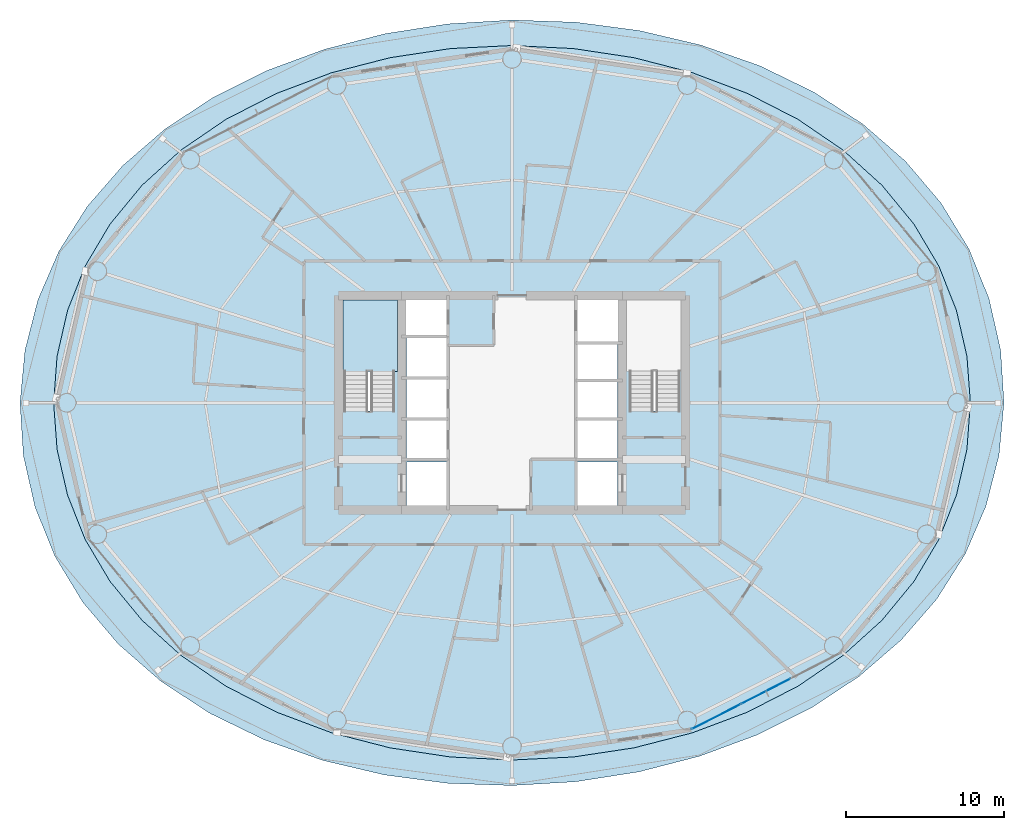
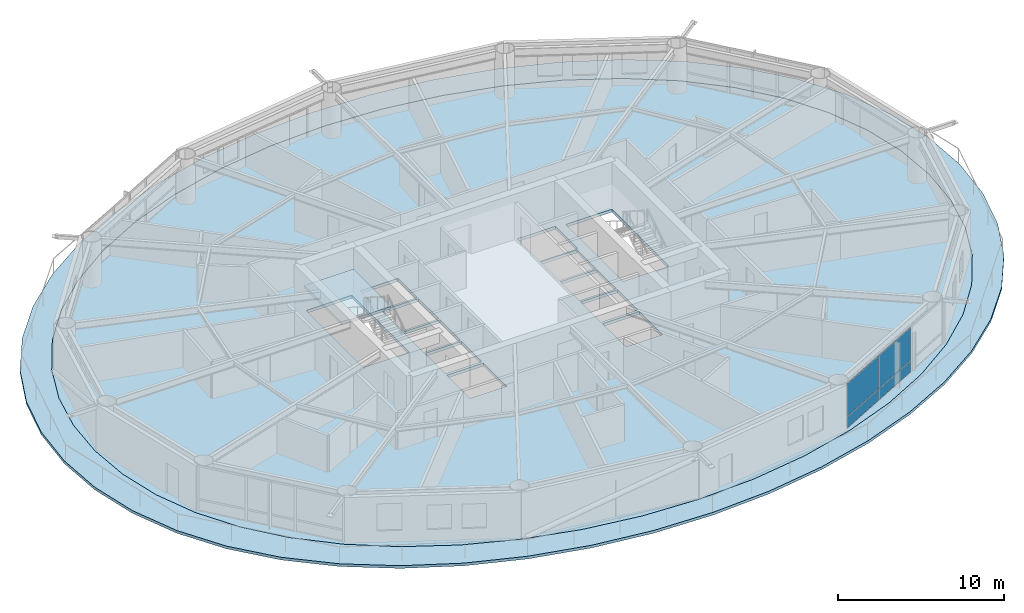
# One storey, part 15 of 24: 4 plates, 3 slabs, 2 elements without a shape of their own.
"""IFC4 building model written with IfcOpenShell, lengths in metres."""

from ifc_helpers import new_model, si_unit, direction, frame, origin, origin_2d, place, context, subcontext, project, spatial, polyline, rectangle, outline, extrude, material, layer, layer_set, type_object, element, aggregate, save


model = new_model("IFC4")

# Units and contexts
model_context = context("Model", 3, precision=1e-05, world=origin(), true_north=direction((0.0, 1.0)))
body_context = subcontext(model_context, "Body", "Model", "MODEL_VIEW")
ifc_project = project(units=[si_unit("LENGTHUNIT", "METRE"), si_unit("AREAUNIT", "SQUARE_METRE"), si_unit("VOLUMEUNIT", "CUBIC_METRE"), si_unit("PLANEANGLEUNIT", "RADIAN"), si_unit("MASSUNIT", "GRAM", prefix="KILO")], contexts=[model_context])

# Site, building, storey
site_placement = place(None, origin())
site = spatial("IfcSite", under=ifc_project, at=site_placement, CompositionType="ELEMENT")
building_placement = place(site_placement, origin())
building = spatial("IfcBuilding", under=site, at=building_placement, Name="Sarneth Arch Tower", CompositionType="ELEMENT")
storey_placement = place(building_placement, frame((0.0, 0.0, 98.39990234375)))
storey = spatial("IfcBuildingStorey", under=building, at=storey_placement, Name="L24", CompositionType="ELEMENT", Elevation=98.39990234375)

# Curtain wall, plates
ifc_material_1 = material(Name="Anodised aluminium Type AA25 and solar-control low-e laminated IGU", Category="aluminium")
ifc_layer_1 = layer(ifc_material_1, 0.159912109375)
ifc_layer_set_1 = layer_set([ifc_layer_1], Name="Anodised aluminium Type AA25 and solar-control low-e laminated IGU")
curtain_wall_type = type_object("IfcCurtainWallType", Name="CW-HOTEL-MID", PredefinedType="NOTDEFINED", material=ifc_layer_set_1)
curtain_wall_placement = place(storey_placement, origin())
curtain_wall = element("IfcCurtainWall", 1, at=curtain_wall_placement, inside=storey, type_object=curtain_wall_type, Name="L24 Unitised curtain wall facet 14", PredefinedType="NOTDEFINED")
ifc_material_2 = material(Name="Solar-control low-e laminated IGU", Category="glass")
ifc_layer_2 = layer(ifc_material_2, 0.028076171875)
ifc_layer_set_2 = layer_set([ifc_layer_2], Name="Solar-control low-e laminated IGU")
plate_type = type_object("IfcPlateType", Name="CW-PANEL", PredefinedType="CURTAIN_PANEL", material=ifc_layer_set_2)
plate_1_placement = place(storey_placement, frame((60.946044921875, 22.094482421875, 0.06005859375), z_axis=(0.0, 0.0, 1.0), x_axis=(0.889963703649, 0.456031365356, 0.0)))
plate_1 = element("IfcPlate", 2, at=plate_1_placement, type_object=plate_type, Name="Curtain wall glazed vision pane CW-L24-F14/P00-00", PredefinedType="CURTAIN_PANEL", context=body_context, shape_type="SweptSolid", body=[
    extrude(rectangle(XDim=3.464111328125, YDim=0.028076171875, at=origin_2d()), origin(), (0.0, 0.0, 1.0), 0.81005859375),
])
plate_2_placement = place(storey_placement, frame((60.946044921875, 22.094482421875, 0.93017578125), z_axis=(0.0, 0.0, 1.0), x_axis=(0.889963703649, 0.456031365356, 0.0)))
plate_2 = element("IfcPlate", 3, at=plate_2_placement, type_object=plate_type, Name="Curtain wall glazed vision pane CW-L24-F14/P00-01", PredefinedType="CURTAIN_PANEL", context=body_context, shape_type="SweptSolid", body=[
    extrude(rectangle(XDim=3.464111328125, YDim=0.028076171875, at=origin_2d()), origin(), (0.0, 0.0, 1.0), 2.389892578125),
])
plate_3_placement = place(storey_placement, frame((64.095703125, 23.70849609375, 0.06005859375), z_axis=(0.0, 0.0, 1.0), x_axis=(0.889963703649, 0.456031365356, 0.0)))
plate_3 = element("IfcPlate", 4, at=plate_3_placement, type_object=plate_type, Name="Curtain wall glazed vision pane CW-L24-F14/P01-00", PredefinedType="CURTAIN_PANEL", context=body_context, shape_type="SweptSolid", body=[
    extrude(rectangle(XDim=3.493896484375, YDim=0.028076171875, at=origin_2d()), origin(), (0.0, 0.0, 1.0), 0.81005859375),
])
plate_4_placement = place(storey_placement, frame((64.095703125, 23.70849609375, 0.93017578125), z_axis=(0.0, 0.0, 1.0), x_axis=(0.889963703649, 0.456031365356, 0.0)))
plate_4 = element("IfcPlate", 5, at=plate_4_placement, type_object=plate_type, Name="Curtain wall glazed vision pane CW-L24-F14/P01-01", PredefinedType="CURTAIN_PANEL", context=body_context, shape_type="SweptSolid", body=[
    extrude(rectangle(XDim=3.493896484375, YDim=0.028076171875, at=origin_2d()), origin(), (0.0, 0.0, 1.0), 2.389892578125),
])
aggregate(curtain_wall, [plate_1, plate_2, plate_3, plate_4])

# Slab
ifc_material_3 = material(Name="Concrete C50/60", Category="concrete")
ifc_layer_3 = layer(ifc_material_3, 0.199951171875)
ifc_layer_set_3 = layer_set([ifc_layer_3], Name="Concrete C50/60")
slab_type_1 = type_object("IfcSlabType", Name="SLAB-BALC-200", PredefinedType="FLOOR", material=ifc_layer_set_3)
slab_1_placement = place(storey_placement, frame((0.0, 0.0, -0.199951171875)))
element("IfcSlab", 6, at=slab_1_placement, inside=storey, type_object=slab_type_1, Name="L24 Helical balcony band slab", PredefinedType="FLOOR", context=body_context, shape_type="SweptSolid", body=[
    extrude(outline(polyline([(79.19384765625, 42.0), (78.982421875, 45.338623046875), (78.242431640625, 48.611083984375), (76.979248046875, 51.73876953125), (75.20703125, 54.657470703125), (72.94921875, 57.31591796875), (70.241943359375, 59.67431640625), (67.13525390625, 61.701904296875), (63.692138671875, 63.375244140625), (59.984619140625, 64.67724609375), (56.08642578125, 65.596435546875), (52.0693359375, 66.12744140625), (48.0, 66.268798828125), (43.94091796875, 66.024169921875), (39.953369140625, 65.400390625), (36.10009765625, 64.4072265625), (32.446533203125, 63.0576171875), (29.05859375, 61.367431640625), (25.99853515625, 59.3544921875), (23.32080078125, 57.039306640625), (21.06689453125, 54.4453125), (19.267822265625, 51.600830078125), (17.945556640625, 48.542724609375), (17.119384765625, 45.320556640625), (16.80615234375, 42.0), (17.017578125, 38.661376953125), (17.757568359375, 35.388916015625), (19.020751953125, 32.26123046875), (20.79296875, 29.342529296875), (23.05078125, 26.68408203125), (25.758056640625, 24.32568359375), (28.86474609375, 22.298095703125), (32.307861328125, 20.624755859375), (36.015380859375, 19.32275390625), (39.91357421875, 18.403564453125), (43.9306640625, 17.87255859375), (48.0, 17.731201171875), (52.05908203125, 17.975830078125), (56.046630859375, 18.599609375), (59.89990234375, 19.5927734375), (63.553466796875, 20.9423828125), (66.94140625, 22.632568359375), (70.00146484375, 24.6455078125), (72.67919921875, 26.960693359375), (74.93310546875, 29.5546875), (76.732177734375, 32.399169921875), (78.054443359375, 35.457275390625), (78.880615234375, 38.679443359375), (79.19384765625, 42.0)]), holes=[polyline([(77.062744140625, 42.0), (76.84228515625, 44.956298828125), (76.17724609375, 47.8623046875), (75.060546875, 50.667724609375), (73.486328125, 53.324951171875), (71.458251953125, 55.788330078125), (68.994384765625, 58.015869140625), (66.132080078125, 59.969482421875), (62.923828125, 61.615478515625), (59.435302734375, 62.92578125), (55.73779296875, 63.878173828125), (51.902587890625, 64.456298828125), (48.0, 64.64990234375), (44.097412109375, 64.456298828125), (40.26220703125, 63.878173828125), (36.564697265625, 62.92578125), (33.076171875, 61.615478515625), (29.867919921875, 59.969482421875), (27.005615234375, 58.015869140625), (24.541748046875, 55.788330078125), (22.513671875, 53.324951171875), (20.939453125, 50.667724609375), (19.82275390625, 47.8623046875), (19.15771484375, 44.956298828125), (18.937255859375, 42.0), (19.15771484375, 39.043701171875), (19.82275390625, 36.1376953125), (20.939453125, 33.332275390625), (22.513671875, 30.675048828125), (24.541748046875, 28.211669921875), (27.005615234375, 25.984130859375), (29.867919921875, 24.030517578125), (33.076171875, 22.384521484375), (36.564697265625, 21.07421875), (40.26220703125, 20.121826171875), (44.097412109375, 19.543701171875), (48.0, 19.35009765625), (51.902587890625, 19.543701171875), (55.73779296875, 20.121826171875), (59.435302734375, 21.07421875), (62.923828125, 22.384521484375), (66.132080078125, 24.030517578125), (68.994384765625, 25.984130859375), (71.458251953125, 28.211669921875), (73.486328125, 30.675048828125), (75.060546875, 33.332275390625), (76.17724609375, 36.1376953125), (76.84228515625, 39.043701171875), (77.062744140625, 42.0)])]), origin(), (0.0, 0.0, 1.0), 0.199951171875),
])

# Stair, slab
ifc_material_4 = material(Name="Concrete C50/60", Category="concrete")
stair_type = type_object("IfcStairType", Name="STAIR-CORE-RC", PredefinedType="HALF_TURN_STAIR", material=ifc_material_4)
stair_placement = place(storey_placement, origin())
stair = element("IfcStair", 7, at=stair_placement, inside=storey, type_object=stair_type, Name="L24 Core Exit Stair 1", PredefinedType="HALF_TURN_STAIR")
ifc_material_5 = material(Name="Concrete C50/60", Category="concrete")
ifc_layer_4 = layer(ifc_material_5, 0.199951171875)
ifc_layer_set_4 = layer_set([ifc_layer_4], Name="Concrete C50/60")
slab_type_2 = type_object("IfcSlabType", Name="SLAB-LANDING-200", PredefinedType="LANDING", material=ifc_layer_set_4)
slab_2_placement = place(storey_placement, frame((0.0, 0.0, 1.60009765625)))
slab_2 = element("IfcSlab", 8, at=slab_2_placement, type_object=slab_type_2, Name="ST-1 landing 1", PredefinedType="LANDING", context=body_context, shape_type="SweptSolid", body=[
    extrude(outline(polyline([(37.27490234375, 43.985107421875), (40.72509765625, 43.985107421875), (40.72509765625, 48.52490234375), (37.27490234375, 48.52490234375), (37.27490234375, 43.985107421875)])), origin(), (0.0, 0.0, 1.0), 0.199951171875),
])
aggregate(stair, [slab_2])

# Slab
ifc_material_6 = material(Name="Concrete C50/60", Category="concrete")
ifc_layer_5 = layer(ifc_material_6, 0.219970703125)
ifc_layer_set_5 = layer_set([ifc_layer_5], Name="Concrete C50/60")
slab_type_3 = type_object("IfcSlabType", Name="SLAB-TOWER-220", PredefinedType="FLOOR", material=ifc_layer_set_5)
slab_3_placement = place(storey_placement, frame((0.0, 0.0, -0.219970703125)))
element("IfcSlab", 9, at=slab_3_placement, inside=storey, type_object=slab_type_3, Name="L24 Elliptical floor slab", PredefinedType="FLOOR", context=body_context, shape_type="SweptSolid", body=[
    extrude(outline(polyline([(77.062744140625, 42.0), (76.84228515625, 44.956298828125), (76.17724609375, 47.8623046875), (75.060546875, 50.667724609375), (73.486328125, 53.324951171875), (71.458251953125, 55.788330078125), (68.994384765625, 58.015869140625), (66.132080078125, 59.969482421875), (62.923828125, 61.615478515625), (59.435302734375, 62.92578125), (55.73779296875, 63.878173828125), (51.902587890625, 64.456298828125), (48.0, 64.64990234375), (44.097412109375, 64.456298828125), (40.26220703125, 63.878173828125), (36.564697265625, 62.92578125), (33.076171875, 61.615478515625), (29.867919921875, 59.969482421875), (27.005615234375, 58.015869140625), (24.541748046875, 55.788330078125), (22.513671875, 53.324951171875), (20.939453125, 50.667724609375), (19.82275390625, 47.8623046875), (19.15771484375, 44.956298828125), (18.937255859375, 42.0), (19.15771484375, 39.043701171875), (19.82275390625, 36.1376953125), (20.939453125, 33.332275390625), (22.513671875, 30.675048828125), (24.541748046875, 28.211669921875), (27.005615234375, 25.984130859375), (29.867919921875, 24.030517578125), (33.076171875, 22.384521484375), (36.564697265625, 21.07421875), (40.26220703125, 20.121826171875), (44.097412109375, 19.543701171875), (48.0, 19.35009765625), (51.902587890625, 19.543701171875), (55.73779296875, 20.121826171875), (59.435302734375, 21.07421875), (62.923828125, 22.384521484375), (66.132080078125, 24.030517578125), (68.994384765625, 25.984130859375), (71.458251953125, 28.211669921875), (73.486328125, 30.675048828125), (75.060546875, 33.332275390625), (76.17724609375, 36.1376953125), (76.84228515625, 39.043701171875), (77.062744140625, 42.0)]), holes=[polyline([(37.35009765625, 41.489990234375), (40.550048828125, 41.489990234375), (40.550048828125, 48.39990234375), (37.35009765625, 48.39990234375), (37.35009765625, 41.489990234375)]), polyline([(55.449951171875, 41.489990234375), (58.64990234375, 41.489990234375), (58.64990234375, 48.39990234375), (55.449951171875, 48.39990234375), (55.449951171875, 41.489990234375)]), polyline([(41.199951171875, 46.25), (43.85009765625, 46.25), (43.85009765625, 48.550048828125), (41.199951171875, 48.550048828125), (41.199951171875, 46.25)]), polyline([(41.300048828125, 35.449951171875), (43.85009765625, 35.449951171875), (43.85009765625, 38.25), (41.300048828125, 38.25), (41.300048828125, 35.449951171875)]), polyline([(52.14990234375, 35.449951171875), (54.699951171875, 35.449951171875), (54.699951171875, 38.25), (52.14990234375, 38.25), (52.14990234375, 35.449951171875)]), polyline([(52.14990234375, 45.85009765625), (54.800048828125, 45.85009765625), (54.800048828125, 48.550048828125), (52.14990234375, 48.550048828125), (52.14990234375, 45.85009765625)]), polyline([(41.300048828125, 38.449951171875), (43.85009765625, 38.449951171875), (43.85009765625, 40.89990234375), (41.300048828125, 40.89990234375), (41.300048828125, 38.449951171875)]), polyline([(41.300048828125, 41.050048828125), (43.85009765625, 41.050048828125), (43.85009765625, 43.5), (41.300048828125, 43.5), (41.300048828125, 41.050048828125)]), polyline([(41.300048828125, 43.64990234375), (43.85009765625, 43.64990234375), (43.85009765625, 46.10009765625), (41.300048828125, 46.10009765625), (41.300048828125, 43.64990234375)]), polyline([(52.14990234375, 38.449951171875), (54.699951171875, 38.449951171875), (54.699951171875, 40.89990234375), (52.14990234375, 40.89990234375), (52.14990234375, 38.449951171875)]), polyline([(52.14990234375, 41.050048828125), (54.699951171875, 41.050048828125), (54.699951171875, 43.35009765625), (52.14990234375, 43.35009765625), (52.14990234375, 41.050048828125)]), polyline([(52.14990234375, 43.5), (54.699951171875, 43.5), (54.699951171875, 45.75), (52.14990234375, 45.75), (52.14990234375, 43.5)])]), origin(), (0.0, 0.0, 1.0), 0.219970703125),
])

save(model, "model.ifc")
